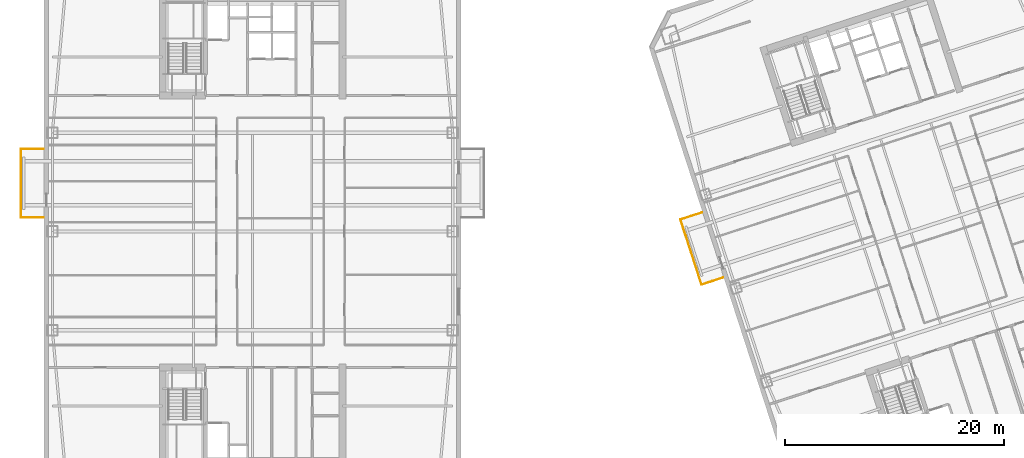
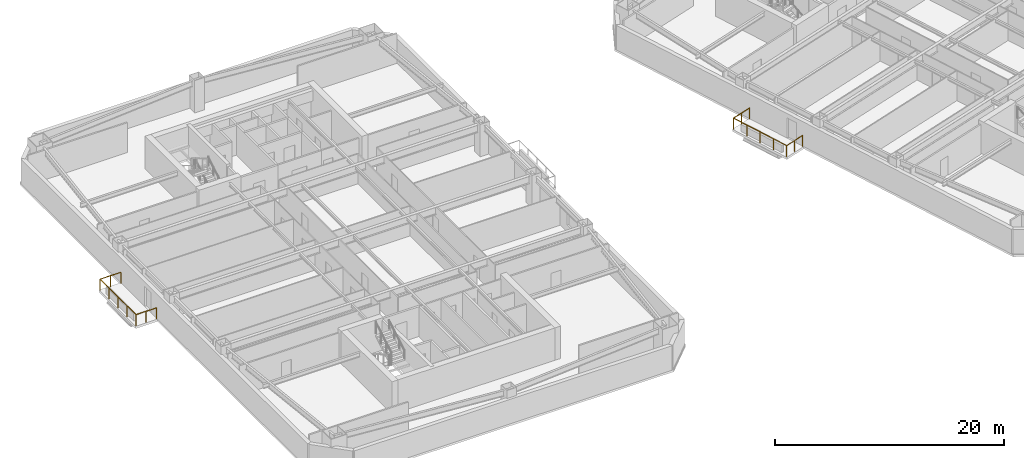
# One storey, part 12 of 15: 2 railings.
"""IFC4 building model written with IfcOpenShell, lengths in metres."""

import ifcopenshell
import ifcopenshell.guid

model = None  # the IFC model being written
_history = None  # IfcOwnerHistory: only IFC2X3 demands one
_inside = {}  # id of a spatial element -> (the spatial element, [elements in it])
_under = {}  # id of a project, library or spatial element -> (it, [spatial elements below it])
_declared = {}  # id of a project -> (the project, [libraries it declares])
_typed = {}  # id of a type object -> (the type object, [elements of that type])
_made_of = {}  # id of a material, layer set ... -> (it, [elements and type objects made of it])


def new_model(schema):
    """Start an empty IFC model of exactly this schema.

    Asked for "IFC4X3", IfcOpenShell would pick the latest addendum, in which some entities
    have other attributes; the version numbers below select the first issue.
    IFC2X3 requires an IfcOwnerHistory on every rooted entity: one is made here for all.
    """
    global model, _history
    if schema == "IFC4X3":
        model = ifcopenshell.file(schema_version=(4, 3, 0, 0))
    else:
        model = ifcopenshell.file(schema=schema)
    _inside.clear()
    _under.clear()
    _declared.clear()
    _typed.clear()
    _made_of.clear()
    _history = None
    if model.schema == "IFC2X3":
        org = make("IfcOrganization", Name="unknown")
        user = make(
            "IfcPersonAndOrganization",
            ThePerson=make("IfcPerson", FamilyName="unknown"),
            TheOrganization=org,
        )
        app = make(
            "IfcApplication",
            ApplicationDeveloper=org,
            Version="unknown",
            ApplicationFullName="unknown",
            ApplicationIdentifier="unknown",
        )
        _history = make(
            "IfcOwnerHistory",
            OwningUser=user,
            OwningApplication=app,
            ChangeAction="ADDED",
            CreationDate=0,
        )
    return model


def make(cls, **values):
    """One entity of the class cls with the attributes given. An attribute that is None is left unset."""
    return model.create_entity(
        cls, **{name: value for name, value in values.items() if value is not None}
    )


def rooted(cls, **values):
    """An entity with a GlobalId (a new one), such as an element, a storey or a relation."""
    return make(cls, GlobalId=ifcopenshell.guid.new(), OwnerHistory=_history, **values)


def si_unit(unit_type, name, prefix=None):
    """IfcSIUnit, for example si_unit("LENGTHUNIT", "METRE", prefix="MILLI")."""
    return make("IfcSIUnit", UnitType=unit_type, Prefix=prefix, Name=name)


def assignment(units):
    """IfcUnitAssignment: the units of a project."""
    return None if units is None else make("IfcUnitAssignment", Units=units)


def point(xyz):
    """IfcCartesianPoint."""
    return None if xyz is None else make("IfcCartesianPoint", Coordinates=xyz)


def direction(xyz):
    """IfcDirection."""
    return None if xyz is None else make("IfcDirection", DirectionRatios=xyz)


def frame(location, z_axis=None, x_axis=None):
    """IfcAxis2Placement3D, a coordinate frame: its origin and axes. An axis left out is left unset."""
    return make(
        "IfcAxis2Placement3D",
        Location=point(location),
        Axis=direction(z_axis),
        RefDirection=direction(x_axis),
    )


def frame_2d(location, x_axis=None):
    """IfcAxis2Placement2D, a coordinate frame in the plane: its origin and x axis."""
    return make(
        "IfcAxis2Placement2D", Location=point(location), RefDirection=direction(x_axis)
    )


def origin():
    """The frame at (0, 0, 0) with its axes left unset."""
    return frame((0.0, 0.0, 0.0))


def origin_2d():
    """The frame at (0, 0) in the plane with its x axis left unset."""
    return frame_2d((0.0, 0.0))


def place(relative_to, where):
    """IfcLocalPlacement: puts the frame where relative to a parent placement (None: the world)."""
    return make(
        "IfcLocalPlacement", PlacementRelTo=relative_to, RelativePlacement=where
    )


def context(
    kind, dimensions, precision=None, world=None, true_north=None, identifier=None
):
    """IfcGeometricRepresentationContext, for example the 3D "Model" context."""
    return make(
        "IfcGeometricRepresentationContext",
        ContextIdentifier=identifier,
        ContextType=kind,
        CoordinateSpaceDimension=dimensions,
        Precision=precision,
        WorldCoordinateSystem=world,
        TrueNorth=true_north,
    )


def subcontext(parent, identifier, kind, view, scale=None):
    """IfcGeometricRepresentationSubContext, for example "Body" below "Model"."""
    return make(
        "IfcGeometricRepresentationSubContext",
        ContextIdentifier=identifier,
        ContextType=kind,
        ParentContext=parent,
        TargetScale=scale,
        TargetView=view,
    )


def project(units=None, contexts=None):
    """IfcProject with its units and contexts."""
    return rooted(
        "IfcProject",
        Name="project",
        RepresentationContexts=contexts,
        UnitsInContext=assignment(units),
    )


def spatial(cls, under=None, at=None, **own):
    """A site, building, storey or space (cls), placed at a placement, below another one or the project."""
    s = rooted(cls, ObjectPlacement=at, **own)
    if under is not None:
        _under.setdefault(under.id(), (under, []))[1].append(s)
    return s


def profile(cls, at=None, kind="AREA", **sizes):
    """A parametric profile (cls). Its sizes go by their IFC names, for example OverallWidth=200.0."""
    return make(cls, ProfileType=kind, Position=at, **sizes)


def circle(**sizes):
    """IfcCircleProfileDef."""
    return profile("IfcCircleProfileDef", **sizes)


def extrude(swept, where, along, depth):
    """IfcExtrudedAreaSolid: the profile swept, set in the frame where, extruded along a direction by depth."""
    return make(
        "IfcExtrudedAreaSolid",
        SweptArea=swept,
        Position=where,
        ExtrudedDirection=direction(along),
        Depth=depth,
    )


def shape(context_of_items, identifier, shape_type, items):
    """IfcShapeRepresentation: the items that make up one representation, for example the "Body"."""
    return make(
        "IfcShapeRepresentation",
        ContextOfItems=context_of_items,
        RepresentationIdentifier=identifier,
        RepresentationType=shape_type,
        Items=items,
    )


def material(Name=None, Category=None):
    """IfcMaterial."""
    return make("IfcMaterial", Name=Name, Category=Category)


def made_of(thing, what):
    """Note that an element or type object is made of a material, layer set ...; save() writes the relation."""
    if what is not None:
        _made_of.setdefault(what.id(), (what, []))[1].append(thing)
    return thing


def type_object(cls, material=None, **own):
    """A type object (cls), such as IfcWallType, which elements share."""
    return made_of(rooted(cls, **own), material)


def element(
    cls,
    number,
    at=None,
    inside=None,
    cuts=None,
    type_object=None,
    material=None,
    context=None,
    identifier="Body",
    shape_type=None,
    held_by="IfcProductDefinitionShape",
    body=None,
    shapes=None,
    **own,
):
    """One element of the class cls, such as IfcWall. Its Tag is "e" and its number.

    at: its placement. inside: the storey or other place that contains it. cuts: it is an
    opening in that element (IfcRelVoidsElement). A single representation is given by context,
    identifier, shape_type and body (its items); several are given by shapes. held_by: the class
    of the entity that holds the representations. save() writes the other relations.
    """
    e = rooted(cls, Tag="e%d" % number, ObjectPlacement=at, **own)
    if body is not None:
        shapes = [shape(context, identifier, shape_type, body)]
    if shapes is not None:
        e.Representation = make(held_by, Representations=shapes)
    if inside is not None:
        _inside.setdefault(inside.id(), (inside, []))[1].append(e)
    if cuts is not None:
        rooted(
            "IfcRelVoidsElement", RelatingBuildingElement=cuts, RelatedOpeningElement=e
        )
    if type_object is not None:
        _typed.setdefault(type_object.id(), (type_object, []))[1].append(e)
    return made_of(e, material)


def aggregate(whole, parts):
    """IfcRelAggregates: a whole, such as a stair, and the parts it consists of."""
    return rooted("IfcRelAggregates", RelatingObject=whole, RelatedObjects=parts)


def save(model, path):
    """Write the relations noted so far, then the file.

    IfcRelAggregates (storeys below a building ...), IfcRelContainedInSpatialStructure (elements
    in a storey), IfcRelDefinesByType, IfcRelAssociatesMaterial and IfcRelDeclares: one each for
    every whole, place, type object, material and project.
    """
    for whole, parts in _under.values():
        aggregate(whole, parts)
    for where, things in _inside.values():
        rooted(
            "IfcRelContainedInSpatialStructure",
            RelatedElements=things,
            RelatingStructure=where,
        )
    for kind, things in _typed.values():
        rooted("IfcRelDefinesByType", RelatedObjects=things, RelatingType=kind)
    for what, things in _made_of.values():
        rooted("IfcRelAssociatesMaterial", RelatedObjects=things, RelatingMaterial=what)
    for by, libraries in _declared.values():
        rooted("IfcRelDeclares", RelatingContext=by, RelatedDefinitions=libraries)
    model.write(path)


model = new_model("IFC4")

# Units and contexts
model_context = context("Model", 3, precision=1e-05, world=origin(), true_north=direction((0.0, 1.0)))
body_context = subcontext(model_context, "Body", "Model", "MODEL_VIEW")
ifc_project = project(units=[si_unit("LENGTHUNIT", "METRE"), si_unit("AREAUNIT", "SQUARE_METRE"), si_unit("VOLUMEUNIT", "CUBIC_METRE"), si_unit("PLANEANGLEUNIT", "RADIAN"), si_unit("MASSUNIT", "GRAM", prefix="KILO")], contexts=[model_context])

# Site, building, storey
site_placement = place(None, origin())
site = spatial("IfcSite", under=ifc_project, at=site_placement, CompositionType="ELEMENT")
building_placement = place(site_placement, origin())
building = spatial("IfcBuilding", under=site, at=building_placement, Name="Qiaolan Cultural Towers", CompositionType="ELEMENT")
storey_placement = place(building_placement, frame((0.0, 0.0, 113.85009765625)))
storey = spatial("IfcBuildingStorey", under=building, at=storey_placement, Name="L29", CompositionType="ELEMENT", Elevation=113.85009765625)

# Railings
ifc_material = material(Name="Laminated SentryGlas & Stainless Steel S31608 Balustrade", Category="steel")
railing_type = type_object("IfcRailingType", Name="GRD-TERR-1200", PredefinedType="BALUSTRADE", material=ifc_material)
railing_1_placement = place(storey_placement, frame((10.949951171875, 35.280029296875, 0.0)))
element("IfcRailing", 1, at=railing_1_placement, inside=storey, type_object=railing_type, Name="L29 T1 Tree Balcony Guardrail W", PredefinedType="BALUSTRADE", context=body_context, shape_type="SweptSolid", body=[
    extrude(circle(Radius=0.02392578125, at=origin_2d()), frame((0.0, 0.0, 1.17578125), z_axis=(-1.0, 0.0, 0.0), x_axis=(0.0, -1.0, 0.0)), (0.0, 0.0, 1.0), 2.070068359375),
    extrude(circle(Radius=0.02392578125, at=origin_2d()), frame((-2.070068359375, 0.0, 1.17578125), z_axis=(0.0, 1.0, 0.0), x_axis=(-1.0, 0.0, 0.0)), (0.0, 0.0, 1.0), 6.239990234375),
    extrude(circle(Radius=0.02392578125, at=origin_2d()), frame((-2.070068359375, 6.239990234375, 1.17578125), z_axis=(1.0, 0.0, 0.0), x_axis=(0.0, 1.0, 0.0)), (0.0, 0.0, 1.0), 2.070068359375),
    extrude(circle(Radius=0.02099609375, at=origin_2d()), origin(), (0.0, 0.0, 1.0), 1.15185546875),
    extrude(circle(Radius=0.02099609375, at=origin_2d()), frame((-1.03515625, 0.0, 0.0)), (0.0, 0.0, 1.0), 1.15185546875),
    extrude(circle(Radius=0.02099609375, at=origin_2d()), frame((-2.070068359375, 0.0, 0.0)), (0.0, 0.0, 1.0), 1.15185546875),
    extrude(circle(Radius=0.02099609375, at=origin_2d()), frame((-2.070068359375, 1.56005859375, 0.0)), (0.0, 0.0, 1.0), 1.15185546875),
    extrude(circle(Radius=0.02099609375, at=origin_2d()), frame((-2.070068359375, 3.1201171875, 0.0)), (0.0, 0.0, 1.0), 1.15185546875),
    extrude(circle(Radius=0.02099609375, at=origin_2d()), frame((-2.070068359375, 4.679931640625, 0.0)), (0.0, 0.0, 1.0), 1.15185546875),
    extrude(circle(Radius=0.02099609375, at=origin_2d()), frame((-2.070068359375, 6.239990234375, 0.0)), (0.0, 0.0, 1.0), 1.15185546875),
    extrude(circle(Radius=0.02099609375, at=origin_2d()), frame((-1.03515625, 6.239990234375, 0.0)), (0.0, 0.0, 1.0), 1.15185546875),
    extrude(circle(Radius=0.02099609375, at=origin_2d()), frame((0.0, 6.239990234375, 0.0)), (0.0, 0.0, 1.0), 1.15185546875),
])
railing_2_placement = place(storey_placement, frame((72.913330078125, 29.794189453125, 0.0)))
element("IfcRailing", 2, at=railing_2_placement, inside=storey, type_object=railing_type, Name="L29 T2 Tree Balcony Guardrail W", PredefinedType="BALUSTRADE", context=body_context, shape_type="SweptSolid", body=[
    extrude(circle(Radius=0.02392578125, at=origin_2d()), frame((0.0, 0.0, 1.17578125), z_axis=(-0.951050536716, -0.309035397023, 0.0), x_axis=(0.309035397023, -0.951050536716, 0.0)), (0.0, 0.0, 1.0), 2.06982421875),
    extrude(circle(Radius=0.02392578125, at=origin_2d()), frame((-1.968505859375, -0.6396484375, 1.17578125), z_axis=(-0.309047146287, 0.951046718817, 0.0), x_axis=(-0.951046718817, -0.309047146287, 0.0)), (0.0, 0.0, 1.0), 6.239990234375),
    extrude(circle(Radius=0.02392578125, at=origin_2d()), frame((-3.89697265625, 5.294921875, 1.17578125), z_axis=(0.951061799618, 0.309000733507, 0.0), x_axis=(-0.309000733507, 0.951061799618, 0.0)), (0.0, 0.0, 1.0), 2.070068359375),
    extrude(circle(Radius=0.02099609375, at=origin_2d()), origin(), (0.0, 0.0, 1.0), 1.15185546875),
    extrude(circle(Radius=0.02099609375, at=origin_2d()), frame((-0.984375, -0.31982421875, 0.0)), (0.0, 0.0, 1.0), 1.15185546875),
    extrude(circle(Radius=0.02099609375, at=origin_2d()), frame((-1.968505859375, -0.6396484375, 0.0)), (0.0, 0.0, 1.0), 1.15185546875),
    extrude(circle(Radius=0.02099609375, at=origin_2d()), frame((-2.45068359375, 0.843994140625, 0.0)), (0.0, 0.0, 1.0), 1.15185546875),
    extrude(circle(Radius=0.02099609375, at=origin_2d()), frame((-2.9326171875, 2.32763671875, 0.0)), (0.0, 0.0, 1.0), 1.15185546875),
    extrude(circle(Radius=0.02099609375, at=origin_2d()), frame((-3.414794921875, 3.811279296875, 0.0)), (0.0, 0.0, 1.0), 1.15185546875),
    extrude(circle(Radius=0.02099609375, at=origin_2d()), frame((-3.89697265625, 5.294921875, 0.0)), (0.0, 0.0, 1.0), 1.15185546875),
    extrude(circle(Radius=0.02099609375, at=origin_2d()), frame((-2.91259765625, 5.61474609375, 0.0)), (0.0, 0.0, 1.0), 1.15185546875),
    extrude(circle(Radius=0.02099609375, at=origin_2d()), frame((-1.92822265625, 5.9345703125, 0.0)), (0.0, 0.0, 1.0), 1.15185546875),
])

save(model, "model.ifc")
